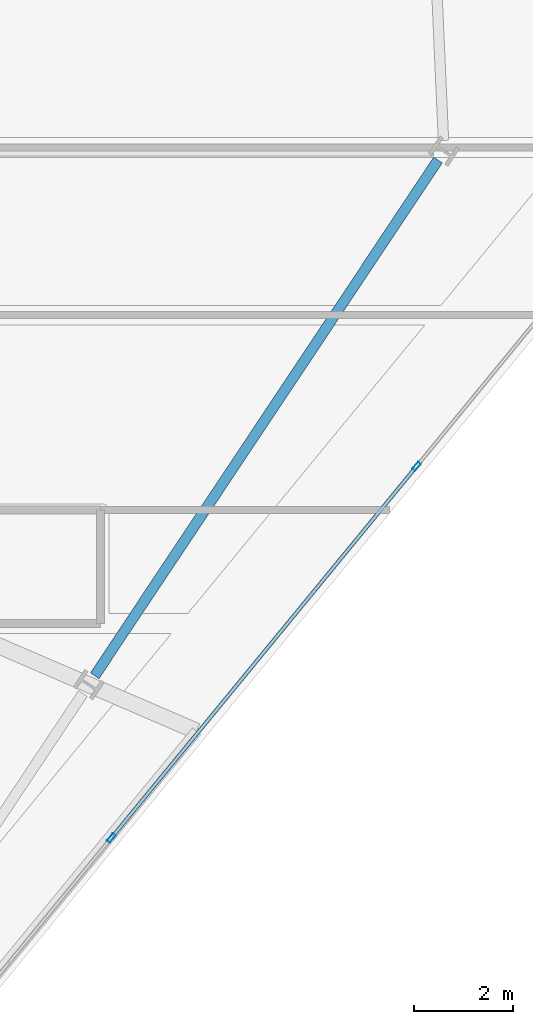
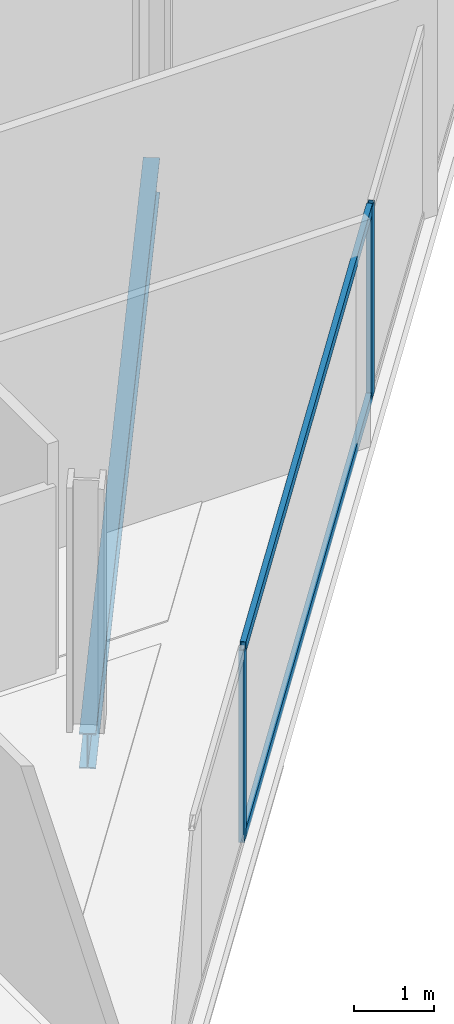
# One storey, part 11 of 28: 4 members, 1 beam, 1 element without a shape of its own.
"""IFC4 building model written with IfcOpenShell, lengths in metres."""

from ifc_helpers import new_model, si_unit, direction, frame, origin, origin_2d, place, context, subcontext, project, spatial, hollow_rectangle, i_section, extrude, material, material_profile, profile_set, type_object, element, aggregate, save


model = new_model("IFC4")

# Units and contexts
model_context = context("Model", 3, precision=1e-05, world=origin(), true_north=direction((0.0, 1.0)))
body_context = subcontext(model_context, "Body", "Model", "MODEL_VIEW")
ifc_project = project(units=[si_unit("LENGTHUNIT", "METRE"), si_unit("AREAUNIT", "SQUARE_METRE"), si_unit("VOLUMEUNIT", "CUBIC_METRE"), si_unit("PLANEANGLEUNIT", "RADIAN"), si_unit("MASSUNIT", "GRAM", prefix="KILO")], contexts=[model_context])

# Site, building, storey
site_placement = place(None, origin())
site = spatial("IfcSite", under=ifc_project, at=site_placement, CompositionType="ELEMENT")
building_placement = place(site_placement, origin())
building = spatial("IfcBuilding", under=site, at=building_placement, Name="Haldenkirk Collegiate Tower", CompositionType="ELEMENT")
storey_placement = place(building_placement, frame((0.0, 0.0, 198.449951171875)))
storey = spatial("IfcBuildingStorey", under=building, at=storey_placement, Name="L49", CompositionType="ELEMENT", Elevation=198.449951171875)

# Beam
ifc_material_1 = material(Name="Steel ASTM A992 Grade 50", Category="steel")
ifc_material_profile_1 = material_profile(ifc_material_1, i_section(OverallWidth=0.2099609375, OverallDepth=0.537109375, WebThickness=0.010986328125, FlangeThickness=0.017333984375, at=origin_2d()), Name="W21X68")
ifc_profile_set_1 = profile_set([ifc_material_profile_1], Name="Steel ASTM A992 Grade 50")
beam_type = type_object("IfcBeamType", Name="BM-SPANDREL-W21X68", PredefinedType="SPANDREL", material=ifc_profile_set_1)
beam_placement = place(storey_placement, frame((53.6845703125, 14.48876953125, -0.54833984375), z_axis=(0.554125989098, 0.832432813028, 0.0), x_axis=(-0.832432813028, 0.554125989098, 0.0)))
element("IfcBeam", 1, at=beam_placement, inside=storey, type_object=beam_type, Name="L49 perimeter spandrel beam 03", PredefinedType="SPANDREL", context=body_context, shape_type="SweptSolid", body=[
    extrude(i_section(OverallWidth=0.2099609375, OverallDepth=0.537109375, WebThickness=0.010986328125, FlangeThickness=0.017333984375, at=origin_2d()), origin(), (0.0, 0.0, 1.0), 12.56201171875),
])

# Curtain wall, members
ifc_material_2 = material(Name="Anodised architectural bronze aluminium", Category="aluminium")
curtain_wall_type = type_object("IfcCurtainWallType", Name="CW-SYS2-CONCAVE", PredefinedType="USERDEFINED", material=ifc_material_2)
curtain_wall_placement = place(storey_placement, origin())
curtain_wall = element("IfcCurtainWall", 2, at=curtain_wall_placement, inside=storey, type_object=curtain_wall_type, Name="L49 South concave recessed bronze-anodised curtain wall", ObjectType="UNITISED CURTAIN WALL", PredefinedType="USERDEFINED")
ifc_material_profile_2 = material_profile(ifc_material_2, hollow_rectangle(XDim=0.074951171875, YDim=0.18994140625, WallThickness=0.0048828125, at=origin_2d()), Name="CW-MUL-02")
ifc_profile_set_2 = profile_set([ifc_material_profile_2], Name="Anodised architectural bronze aluminium")
member_type_1 = type_object("IfcMemberType", Name="CW-MUL-02", PredefinedType="MULLION", material=ifc_profile_set_2)
member_1_placement = place(storey_placement, frame((60.208740234375, 18.732177734375, 0.0), z_axis=(0.0, 0.0, 1.0), x_axis=(0.772733575768, -0.634730510437, 0.0)))
member_1 = element("IfcMember", 3, at=member_1_placement, type_object=member_type_1, Name="CW-02 mullion 2", PredefinedType="MULLION", context=body_context, shape_type="SweptSolid", body=[
    extrude(hollow_rectangle(XDim=0.074951171875, YDim=0.18994140625, WallThickness=0.0048828125, at=origin_2d()), origin(), (0.0, 0.0, 1.0), 2.927978515625),
])
member_2_placement = place(storey_placement, frame((54.02001953125, 11.1982421875, 0.0), z_axis=(0.0, 0.0, 1.0), x_axis=(0.772733575768, -0.634730510437, 0.0)))
member_2 = element("IfcMember", 4, at=member_2_placement, type_object=member_type_1, Name="CW-02 mullion 3", PredefinedType="MULLION", context=body_context, shape_type="SweptSolid", body=[
    extrude(hollow_rectangle(XDim=0.074951171875, YDim=0.18994140625, WallThickness=0.0048828125, at=origin_2d()), origin(), (0.0, 0.0, 1.0), 2.927978515625),
])
ifc_material_profile_3 = material_profile(ifc_material_2, hollow_rectangle(XDim=0.074951171875, YDim=0.159912109375, WallThickness=0.0048828125, at=origin_2d()), Name="CW-TRN-02")
ifc_profile_set_3 = profile_set([ifc_material_profile_3], Name="Anodised architectural bronze aluminium")
member_type_2 = type_object("IfcMemberType", Name="CW-TRN-02", PredefinedType="USERDEFINED", material=ifc_profile_set_3)
member_3_placement = place(storey_placement, frame((60.184814453125, 18.703369140625, 0.03759765625), z_axis=(-0.634715207465, -0.772746145518, 0.0), x_axis=(0.772746145518, -0.634715207465, 0.0)))
member_3 = element("IfcMember", 5, at=member_3_placement, type_object=member_type_2, Name="CW-02 transom 2.1", ObjectType="TRANSOM", PredefinedType="USERDEFINED", context=body_context, shape_type="SweptSolid", body=[
    extrude(hollow_rectangle(XDim=0.074951171875, YDim=0.159912109375, WallThickness=0.0048828125, at=origin_2d()), origin(), (0.0, 0.0, 1.0), 9.675048828125),
])
member_4_placement = place(storey_placement, frame((60.184814453125, 18.703369140625, 2.890625), z_axis=(-0.634715207465, -0.772746145518, 0.0), x_axis=(0.772746145518, -0.634715207465, 0.0)))
member_4 = element("IfcMember", 6, at=member_4_placement, type_object=member_type_2, Name="CW-02 transom 2.2", ObjectType="TRANSOM", PredefinedType="USERDEFINED", context=body_context, shape_type="SweptSolid", body=[
    extrude(hollow_rectangle(XDim=0.074951171875, YDim=0.159912109375, WallThickness=0.0048828125, at=origin_2d()), origin(), (0.0, 0.0, 1.0), 9.675048828125),
])
aggregate(curtain_wall, [member_1, member_2, member_3, member_4])

save(model, "model.ifc")
